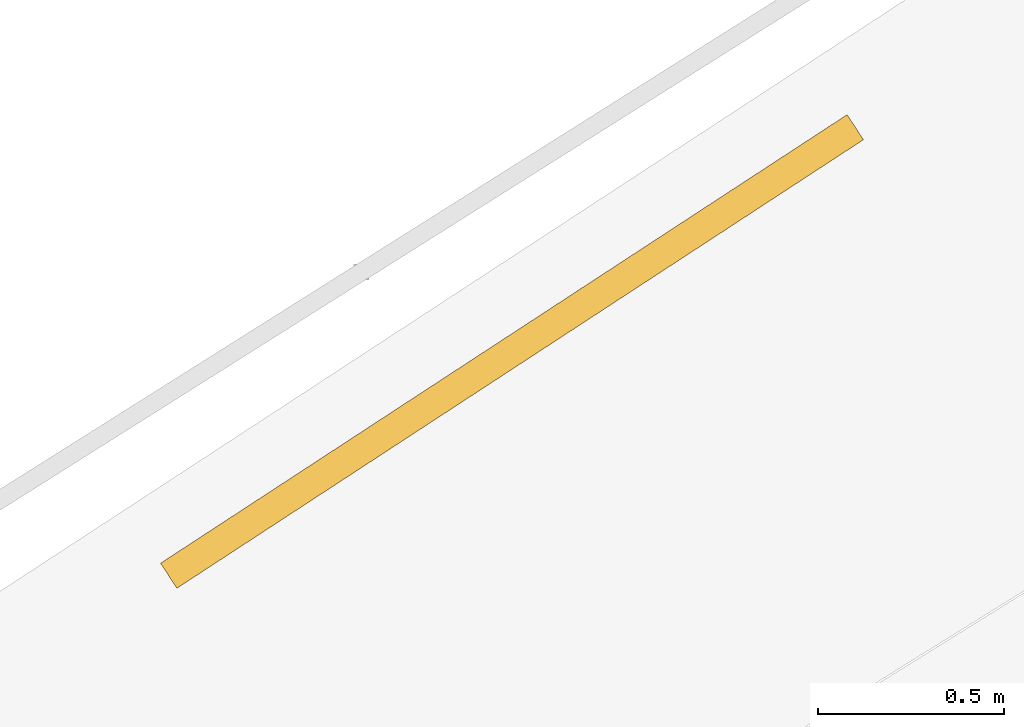
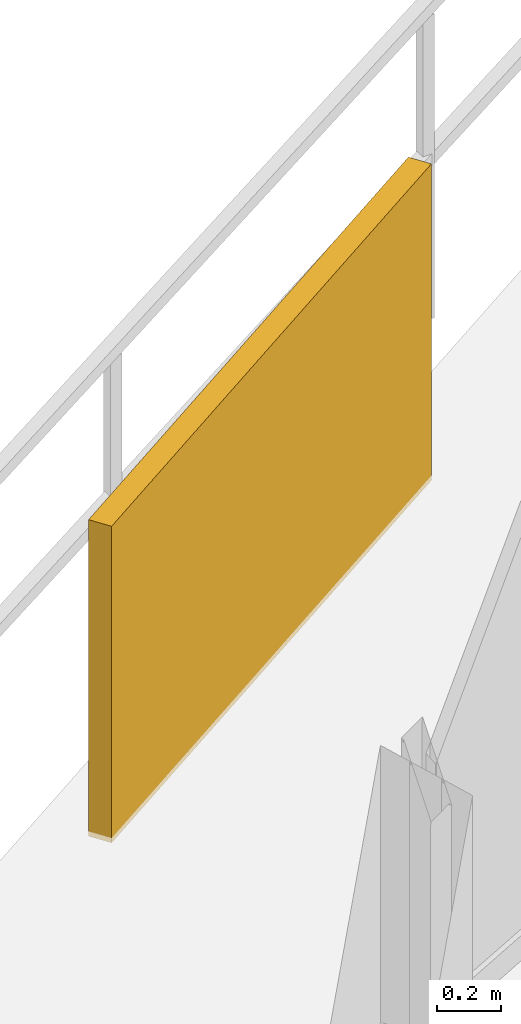
# One storey, part 30 of 31: 1 shading device.
"""IFC4 building model written with IfcOpenShell, lengths in metres."""

from ifc_helpers import new_model, si_unit, direction, frame, origin, origin_2d, place, context, subcontext, project, spatial, rectangle, extrude, material, type_object, element, save


model = new_model("IFC4")

# Units and contexts
model_context = context("Model", 3, precision=1e-05, world=origin(), true_north=direction((0.0, 1.0)))
body_context = subcontext(model_context, "Body", "Model", "MODEL_VIEW")
ifc_project = project(units=[si_unit("LENGTHUNIT", "METRE"), si_unit("AREAUNIT", "SQUARE_METRE"), si_unit("VOLUMEUNIT", "CUBIC_METRE"), si_unit("PLANEANGLEUNIT", "RADIAN"), si_unit("MASSUNIT", "GRAM", prefix="KILO")], contexts=[model_context])

# Site, building, storey
site_placement = place(None, origin())
site = spatial("IfcSite", under=ifc_project, at=site_placement, CompositionType="ELEMENT")
building_placement = place(site_placement, origin())
building = spatial("IfcBuilding", under=site, at=building_placement, Name="Vorneva Point Tower", CompositionType="ELEMENT")
storey_placement = place(building_placement, frame((0.0, 0.0, 129.10009765625)))
storey = spatial("IfcBuildingStorey", under=building, at=storey_placement, Name="L34", CompositionType="ELEMENT", Elevation=129.10009765625)

# Shading device
ifc_material = material(Name="Pale anodised aluminium", Category="aluminium")
shading_device_type = type_object("IfcShadingDeviceType", Name="SHD-JAL-1200", PredefinedType="JALOUSIE", material=ifc_material)
shading_device_placement = place(storey_placement, frame((21.039306640625, 41.289306640625, -0.02001953125), z_axis=(0.0, 0.0, 1.0), x_axis=(-0.837165473414, -0.546949696154, 0.0)))
element("IfcShadingDevice", 1, at=shading_device_placement, inside=storey, type_object=shading_device_type, Name="L34 Balcony Vertical-Greenery Planter Screen NW.2", PredefinedType="JALOUSIE", context=body_context, shape_type="SweptSolid", body=[
    extrude(rectangle(XDim=2.199951171875, YDim=0.080078125, at=origin_2d()), origin(), (0.0, 0.0, 1.0), 1.199951171875),
])

save(model, "model.ifc")
